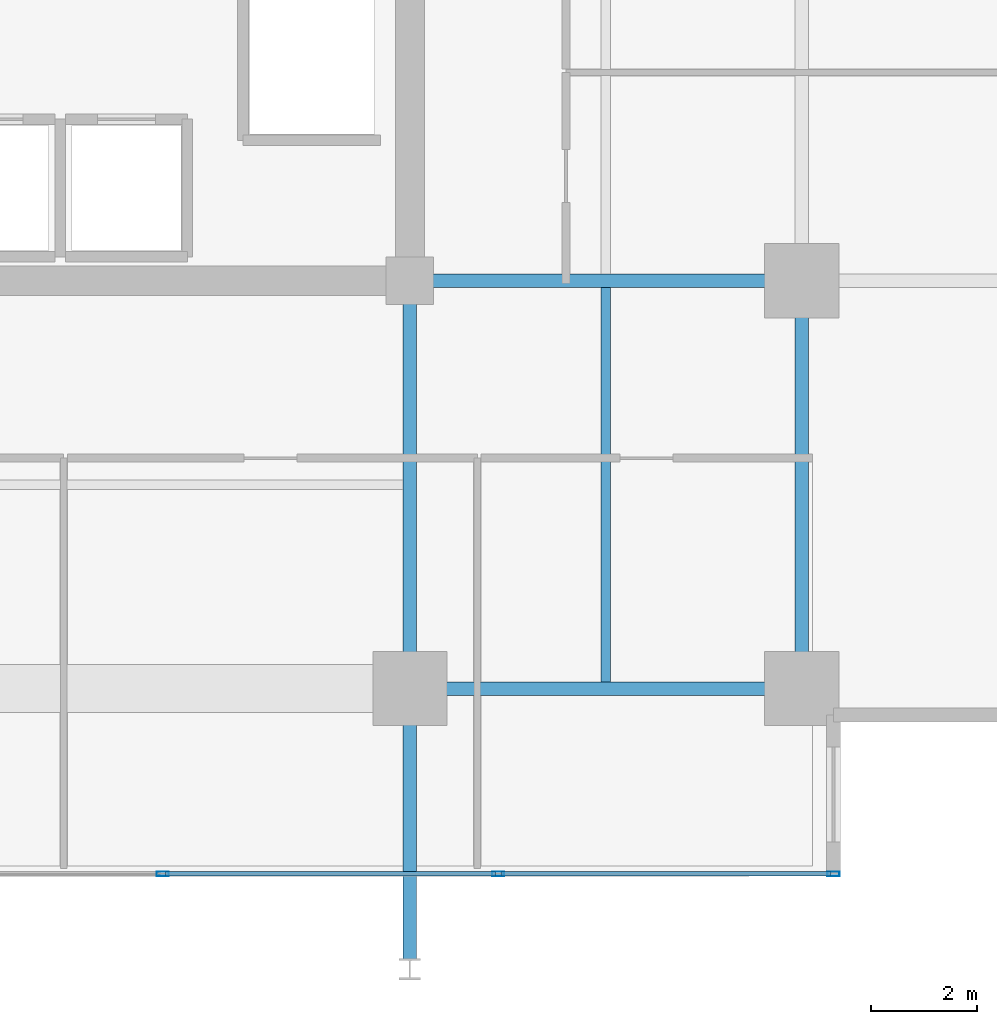
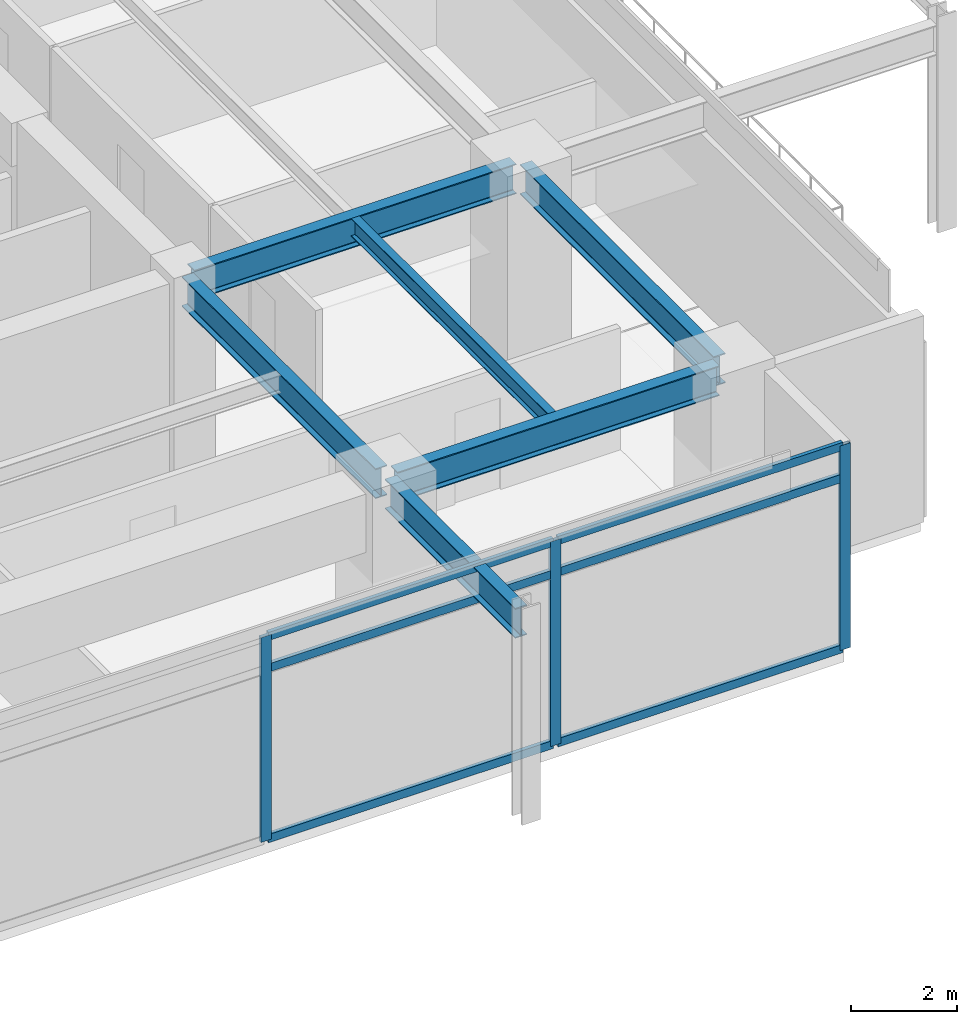
# One storey, part 5 of 19: 9 members, 6 beams, 1 element without a shape of its own.
"""IFC4 building model written with IfcOpenShell, lengths in metres."""

from ifc_helpers import new_model, si_unit, direction, frame, origin, origin_2d, place, context, subcontext, project, spatial, hollow_rectangle, i_section, extrude, material, material_profile, profile_set, type_object, element, aggregate, save


model = new_model("IFC4")

# Units and contexts
model_context = context("Model", 3, precision=1e-05, world=origin(), true_north=direction((0.0, 1.0)))
body_context = subcontext(model_context, "Body", "Model", "MODEL_VIEW")
ifc_project = project(units=[si_unit("LENGTHUNIT", "METRE"), si_unit("AREAUNIT", "SQUARE_METRE"), si_unit("VOLUMEUNIT", "CUBIC_METRE"), si_unit("PLANEANGLEUNIT", "RADIAN"), si_unit("MASSUNIT", "GRAM", prefix="KILO")], contexts=[model_context])

# Site, building, storey
site_placement = place(None, origin())
site = spatial("IfcSite", under=ifc_project, at=site_placement, CompositionType="ELEMENT")
building_placement = place(site_placement, origin())
building = spatial("IfcBuilding", under=site, at=building_placement, Name="Kovane Verandah Tower", CompositionType="ELEMENT")
storey_placement = place(building_placement, frame((0.0, 0.0, 200.199951171875)))
storey = spatial("IfcBuildingStorey", under=building, at=storey_placement, Name="L46", CompositionType="ELEMENT", Elevation=200.199951171875)

# Beams
ifc_material_1 = material(Name="Steel S355", Category="steel")
ifc_material_profile_1 = material_profile(ifc_material_1, i_section(OverallWidth=0.255859375, OverallDepth=0.69287109375, WebThickness=0.014404296875, FlangeThickness=0.023681640625, FilletRadius=0.01513671875, at=origin_2d()), Name="UB686x254x170")
ifc_profile_set_1 = profile_set([ifc_material_profile_1], Name="Steel S355")
beam_type_1 = type_object("IfcBeamType", Name="BM-UB686x170", PredefinedType="BEAM", material=ifc_profile_set_1)
beam_1_placement = place(storey_placement, frame((51.179931640625, 10.800048828125, 4.428466796875), z_axis=(1.0, 0.0, 0.0), x_axis=(0.0, 1.0, 0.0)))
element("IfcBeam", 1, at=beam_1_placement, inside=storey, type_object=beam_type_1, Name="L46 Primary Tower Girder G-RS3", PredefinedType="BEAM", context=body_context, shape_type="SweptSolid", body=[
    extrude(i_section(OverallWidth=0.255859375, OverallDepth=0.69287109375, WebThickness=0.014404296875, FlangeThickness=0.023681640625, FilletRadius=0.01513671875, at=origin_2d()), origin(), (0.0, 0.0, 1.0), 7.0400390625),
])
beam_2_placement = place(storey_placement, frame((58.39990234375, 10.97998046875, 4.428466796875), z_axis=(0.0, 1.0, 0.0), x_axis=(-1.0, 0.0, 0.0)))
element("IfcBeam", 2, at=beam_2_placement, inside=storey, type_object=beam_type_1, Name="L46 Primary Tower Girder G-RE1", PredefinedType="BEAM", context=body_context, shape_type="SweptSolid", body=[
    extrude(i_section(OverallWidth=0.255859375, OverallDepth=0.69287109375, WebThickness=0.014404296875, FlangeThickness=0.023681640625, FilletRadius=0.01513671875, at=origin_2d()), origin(), (0.0, 0.0, 1.0), 7.340087890625),
])
beam_3_placement = place(storey_placement, frame((51.179931640625, 18.5, 4.428466796875), z_axis=(1.0, 0.0, 0.0), x_axis=(0.0, 1.0, 0.0)))
element("IfcBeam", 3, at=beam_3_placement, inside=storey, type_object=beam_type_1, Name="L46 Primary Tower Girder G-E1", PredefinedType="BEAM", context=body_context, shape_type="SweptSolid", body=[
    extrude(i_section(OverallWidth=0.255859375, OverallDepth=0.69287109375, WebThickness=0.014404296875, FlangeThickness=0.023681640625, FilletRadius=0.01513671875, at=origin_2d()), origin(), (0.0, 0.0, 1.0), 7.0400390625),
])
beam_4_placement = place(storey_placement, frame((51.0, 18.320068359375, 4.428466796875), z_axis=(0.0, -1.0, 0.0), x_axis=(1.0, 0.0, 0.0)))
element("IfcBeam", 4, at=beam_4_placement, inside=storey, type_object=beam_type_1, Name="L46 Primary Tower Girder G-S2", PredefinedType="BEAM", context=body_context, shape_type="SweptSolid", body=[
    extrude(i_section(OverallWidth=0.255859375, OverallDepth=0.69287109375, WebThickness=0.014404296875, FlangeThickness=0.023681640625, FilletRadius=0.01513671875, at=origin_2d()), origin(), (0.0, 0.0, 1.0), 7.340087890625),
])
beam_5_placement = place(storey_placement, frame((51.0, 10.6201171875, 4.41357421875), z_axis=(0.0, -1.0, 0.0), x_axis=(1.0, 0.0, 0.0)))
element("IfcBeam", 5, at=beam_5_placement, inside=storey, type_object=beam_type_1, Name="L46 Primary Tower Girder G-VS2", PredefinedType="BEAM", context=body_context, shape_type="SweptSolid", body=[
    extrude(i_section(OverallWidth=0.255859375, OverallDepth=0.69287109375, WebThickness=0.014404296875, FlangeThickness=0.023681640625, FilletRadius=0.01513671875, at=origin_2d()), origin(), (0.0, 0.0, 1.0), 4.940185546875),
])

# Curtain wall, members
ifc_material_2 = material(Name="Champagne Anodised Aluminium Frame with Low-E Clear Laminated Glass", Category="aluminium")
curtain_wall_type = type_object("IfcCurtainWallType", Name="CW-SYS-04-WAIST", PredefinedType="NOTDEFINED", material=ifc_material_2)
curtain_wall_placement = place(storey_placement, origin())
curtain_wall = element("IfcCurtainWall", 6, at=curtain_wall_placement, inside=storey, type_object=curtain_wall_type, Name="L46 S Unitised Curtain Wall", PredefinedType="NOTDEFINED")
ifc_material_3 = material(Name="Champagne Anodised Aluminium 6063-T6", Category="aluminium")
ifc_material_profile_2 = material_profile(ifc_material_3, hollow_rectangle(XDim=0.0849609375, YDim=0.22998046875, WallThickness=0.00390625, at=origin_2d()), Name="AL85x230x4")
ifc_profile_set_2 = profile_set([ifc_material_profile_2], Name="Champagne Anodised Aluminium 6063-T6")
member_type_1 = type_object("IfcMemberType", Name="CW-MUL-85x230", PredefinedType="MULLION", material=ifc_profile_set_2)
member_1_placement = place(storey_placement, frame((46.333251953125, 7.300048828125, 0.02001953125), z_axis=(0.0, 0.0, 1.0), x_axis=(0.0, -1.0, 0.0)))
member_1 = element("IfcMember", 7, at=member_1_placement, type_object=member_type_1, Name="L46 S Unitised Curtain Wall Mullion 5", PredefinedType="MULLION", context=body_context, shape_type="SweptSolid", body=[
    extrude(hollow_rectangle(XDim=0.0849609375, YDim=0.22998046875, WallThickness=0.00390625, at=origin_2d()), origin(), (0.0, 0.0, 1.0), 4.735107421875),
])
member_2_placement = place(storey_placement, frame((52.666748046875, 7.300048828125, 0.02001953125), z_axis=(0.0, 0.0, 1.0), x_axis=(0.0, -1.0, 0.0)))
member_2 = element("IfcMember", 8, at=member_2_placement, type_object=member_type_1, Name="L46 S Unitised Curtain Wall Mullion 6", PredefinedType="MULLION", context=body_context, shape_type="SweptSolid", body=[
    extrude(hollow_rectangle(XDim=0.0849609375, YDim=0.22998046875, WallThickness=0.00390625, at=origin_2d()), origin(), (0.0, 0.0, 1.0), 4.735107421875),
])
member_3_placement = place(storey_placement, frame((59.0, 7.300048828125, 0.02001953125), z_axis=(0.0, 0.0, 1.0), x_axis=(0.0, -1.0, 0.0)))
member_3 = element("IfcMember", 9, at=member_3_placement, type_object=member_type_1, Name="L46 S Unitised Curtain Wall Mullion 7", PredefinedType="MULLION", context=body_context, shape_type="SweptSolid", body=[
    extrude(hollow_rectangle(XDim=0.0849609375, YDim=0.22998046875, WallThickness=0.00390625, at=origin_2d()), origin(), (0.0, 0.0, 1.0), 4.735107421875),
])
ifc_material_profile_3 = material_profile(ifc_material_3, hollow_rectangle(XDim=0.0849609375, YDim=0.18994140625, WallThickness=0.00390625, at=origin_2d()), Name="AL85x190x4")
ifc_profile_set_3 = profile_set([ifc_material_profile_3], Name="Champagne Anodised Aluminium 6063-T6")
member_type_2 = type_object("IfcMemberType", Name="CW-TRN-85x190", PredefinedType="USERDEFINED", material=ifc_profile_set_3)
member_4_placement = place(storey_placement, frame((46.38330078125, 7.300048828125, 0.050048828125), z_axis=(1.0, 0.0, 0.0), x_axis=(0.0, 1.0, 0.0)))
member_4 = element("IfcMember", 10, at=member_4_placement, type_object=member_type_2, Name="L46 S Unitised Curtain Wall Transom TB Bay 5", ObjectType="TRANSOM", PredefinedType="USERDEFINED", context=body_context, shape_type="SweptSolid", body=[
    extrude(hollow_rectangle(XDim=0.0849609375, YDim=0.18994140625, WallThickness=0.00390625, at=origin_2d()), origin(), (0.0, 0.0, 1.0), 6.2333984375),
])
member_5_placement = place(storey_placement, frame((46.38330078125, 7.300048828125, 3.9951171875), z_axis=(1.0, 0.0, 0.0), x_axis=(0.0, 1.0, 0.0)))
member_5 = element("IfcMember", 11, at=member_5_placement, type_object=member_type_2, Name="L46 S Unitised Curtain Wall Transom TM Bay 5", ObjectType="TRANSOM", PredefinedType="USERDEFINED", context=body_context, shape_type="SweptSolid", body=[
    extrude(hollow_rectangle(XDim=0.0849609375, YDim=0.18994140625, WallThickness=0.00390625, at=origin_2d()), origin(), (0.0, 0.0, 1.0), 6.2333984375),
])
member_6_placement = place(storey_placement, frame((46.38330078125, 7.300048828125, 4.72509765625), z_axis=(1.0, 0.0, 0.0), x_axis=(0.0, 1.0, 0.0)))
member_6 = element("IfcMember", 12, at=member_6_placement, type_object=member_type_2, Name="L46 S Unitised Curtain Wall Transom TT Bay 5", ObjectType="TRANSOM", PredefinedType="USERDEFINED", context=body_context, shape_type="SweptSolid", body=[
    extrude(hollow_rectangle(XDim=0.0849609375, YDim=0.18994140625, WallThickness=0.00390625, at=origin_2d()), origin(), (0.0, 0.0, 1.0), 6.2333984375),
])
member_7_placement = place(storey_placement, frame((52.716796875, 7.300048828125, 0.050048828125), z_axis=(1.0, 0.0, 0.0), x_axis=(0.0, 1.0, 0.0)))
member_7 = element("IfcMember", 13, at=member_7_placement, type_object=member_type_2, Name="L46 S Unitised Curtain Wall Transom TB Bay 6", ObjectType="TRANSOM", PredefinedType="USERDEFINED", context=body_context, shape_type="SweptSolid", body=[
    extrude(hollow_rectangle(XDim=0.0849609375, YDim=0.18994140625, WallThickness=0.00390625, at=origin_2d()), origin(), (0.0, 0.0, 1.0), 6.233154296875),
])
member_8_placement = place(storey_placement, frame((52.716796875, 7.300048828125, 3.9951171875), z_axis=(1.0, 0.0, 0.0), x_axis=(0.0, 1.0, 0.0)))
member_8 = element("IfcMember", 14, at=member_8_placement, type_object=member_type_2, Name="L46 S Unitised Curtain Wall Transom TM Bay 6", ObjectType="TRANSOM", PredefinedType="USERDEFINED", context=body_context, shape_type="SweptSolid", body=[
    extrude(hollow_rectangle(XDim=0.0849609375, YDim=0.18994140625, WallThickness=0.00390625, at=origin_2d()), origin(), (0.0, 0.0, 1.0), 6.233154296875),
])
member_9_placement = place(storey_placement, frame((52.716796875, 7.300048828125, 4.72509765625), z_axis=(1.0, 0.0, 0.0), x_axis=(0.0, 1.0, 0.0)))
member_9 = element("IfcMember", 15, at=member_9_placement, type_object=member_type_2, Name="L46 S Unitised Curtain Wall Transom TT Bay 6", ObjectType="TRANSOM", PredefinedType="USERDEFINED", context=body_context, shape_type="SweptSolid", body=[
    extrude(hollow_rectangle(XDim=0.0849609375, YDim=0.18994140625, WallThickness=0.00390625, at=origin_2d()), origin(), (0.0, 0.0, 1.0), 6.233154296875),
])
aggregate(curtain_wall, [member_1, member_2, member_3, member_4, member_5, member_6, member_7, member_8, member_9])

# Beam
ifc_material_profile_4 = material_profile(ifc_material_1, i_section(OverallWidth=0.179443359375, OverallDepth=0.412841796875, WebThickness=0.009521484375, FlangeThickness=0.01611328125, FilletRadius=0.01025390625, at=origin_2d()), Name="UB406x178x74")
ifc_profile_set_4 = profile_set([ifc_material_profile_4], Name="Steel S355")
beam_type_2 = type_object("IfcBeamType", Name="JST-UB406x74", PredefinedType="JOIST", material=ifc_profile_set_4)
beam_6_placement = place(storey_placement, frame((54.699951171875, 10.92578125, 4.568603515625), z_axis=(0.0, 1.0, 0.0), x_axis=(-1.0, 0.0, 0.0)))
element("IfcBeam", 16, at=beam_6_placement, inside=storey, type_object=beam_type_2, Name="L46 Secondary Composite Joist J-SE1", PredefinedType="JOIST", context=body_context, shape_type="SweptSolid", body=[
    extrude(i_section(OverallWidth=0.179443359375, OverallDepth=0.412841796875, WebThickness=0.009521484375, FlangeThickness=0.01611328125, FilletRadius=0.01025390625, at=origin_2d()), origin(), (0.0, 0.0, 1.0), 7.4482421875),
])

save(model, "model.ifc")
